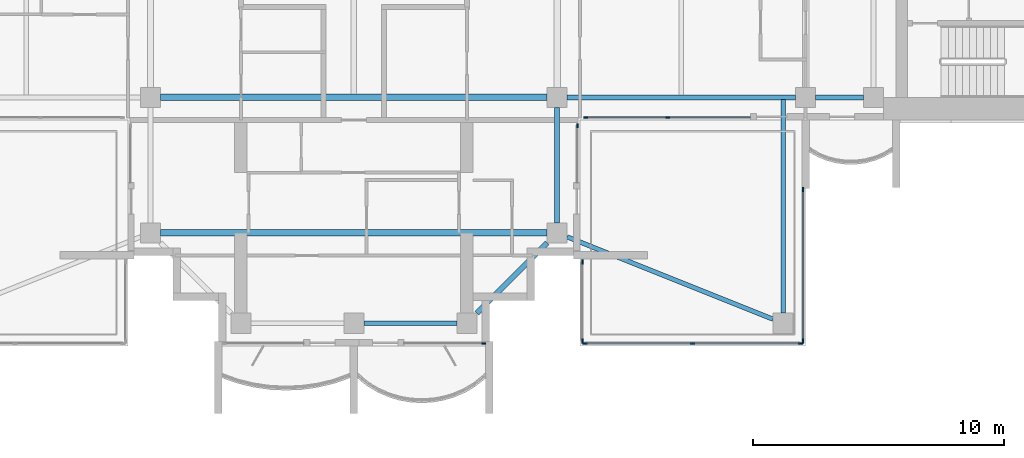
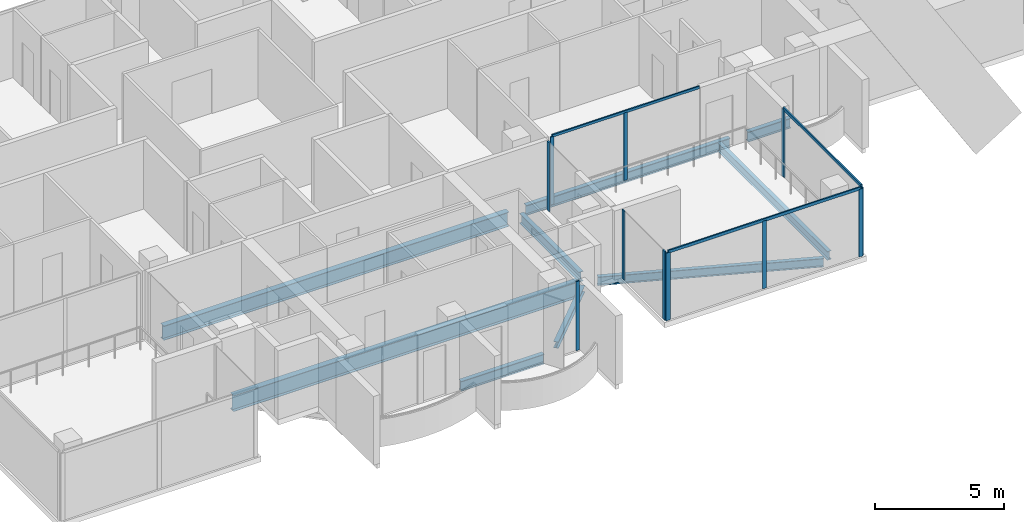
# One storey, part 3 of 16: 14 members, 9 beams, 6 elements without a shape of their own.
"""IFC4 building model written with IfcOpenShell, lengths in metres."""

from ifc_helpers import new_model, si_unit, direction, frame, origin, origin_2d, place, context, subcontext, project, spatial, rectangle, i_section, extrude, material, material_profile, profile_set, type_object, element, aggregate, save


model = new_model("IFC4")

# Units and contexts
model_context = context("Model", 3, precision=1e-05, world=origin(), true_north=direction((0.0, 1.0)))
body_context = subcontext(model_context, "Body", "Model", "MODEL_VIEW")
ifc_project = project(units=[si_unit("LENGTHUNIT", "METRE"), si_unit("AREAUNIT", "SQUARE_METRE"), si_unit("VOLUMEUNIT", "CUBIC_METRE"), si_unit("PLANEANGLEUNIT", "RADIAN"), si_unit("MASSUNIT", "GRAM", prefix="KILO")], contexts=[model_context])

# Site, building, storey
site_placement = place(None, origin())
site = spatial("IfcSite", under=ifc_project, at=site_placement, CompositionType="ELEMENT")
building_placement = place(site_placement, origin())
building = spatial("IfcBuilding", under=site, at=building_placement, Name="Perihelion Cross Residences", CompositionType="ELEMENT")
storey_placement = place(building_placement, frame((0.0, 0.0, 260.5)))
storey = spatial("IfcBuildingStorey", under=building, at=storey_placement, Name="L66", CompositionType="ELEMENT", Elevation=260.5)

# Curtain wall, member
ifc_material_1 = material(Name="Bronze anodised aluminium, tinted glazing", Category="aluminium")
curtain_wall_type_1 = type_object("IfcCurtainWallType", Name="CW1", PredefinedType="NOTDEFINED", material=ifc_material_1)
curtain_wall_1_placement = place(storey_placement, origin())
curtain_wall_1 = element("IfcCurtainWall", 1, at=curtain_wall_1_placement, inside=storey, type_object=curtain_wall_type_1, Name="Curtain wall CW1 L66 south tip south bay 2", PredefinedType="NOTDEFINED")
ifc_material_2 = material(Name="Bronze anodised aluminium", Category="aluminium")
ifc_material_profile_1 = material_profile(ifc_material_2, rectangle(XDim=0.06005859375, YDim=0.159912109375, at=origin_2d()), Name="CW1 mullion")
ifc_profile_set_1 = profile_set([ifc_material_profile_1], Name="Bronze anodised aluminium")
member_type_1 = type_object("IfcMemberType", Name="CW1 mullion", PredefinedType="MULLION", material=ifc_profile_set_1)
member_1_placement = place(storey_placement, frame((5.169921875, -17.89990234375, 0.0), z_axis=(0.0, 0.0, 1.0), x_axis=(0.0, 1.0, 0.0)))
member_1 = element("IfcMember", 2, at=member_1_placement, type_object=member_type_1, Name="CW1 mullion 2", PredefinedType="MULLION", context=body_context, shape_type="SweptSolid", body=[
    extrude(rectangle(XDim=0.06005859375, YDim=0.159912109375, at=origin_2d()), origin(), (0.0, 0.0, 1.0), 3.25),
])
aggregate(curtain_wall_1, [member_1])

curtain_wall_2_placement = place(storey_placement, origin())
curtain_wall_2 = element("IfcCurtainWall", 3, at=curtain_wall_2_placement, inside=storey, type_object=curtain_wall_type_1, Name="Curtain wall CW1 L66 south side east bay 1", PredefinedType="NOTDEFINED")
member_2_placement = place(storey_placement, frame((8.89990234375, -9.22998046875, 0.0), z_axis=(0.0, 0.0, 1.0), x_axis=(-1.0, 0.0, 0.0)))
member_2 = element("IfcMember", 4, at=member_2_placement, type_object=member_type_1, Name="CW1 mullion 2", PredefinedType="MULLION", context=body_context, shape_type="SweptSolid", body=[
    extrude(rectangle(XDim=0.06005859375, YDim=0.159912109375, at=origin_2d()), origin(), (0.0, 0.0, 1.0), 3.25),
])
aggregate(curtain_wall_2, [member_2])

# Curtain wall, members
curtain_wall_3_placement = place(storey_placement, origin())
curtain_wall_3 = element("IfcCurtainWall", 5, at=curtain_wall_3_placement, inside=storey, type_object=curtain_wall_type_1, Name="Curtain wall CW1 L66 east side south bay 1", PredefinedType="NOTDEFINED")
member_3_placement = place(storey_placement, frame((9.22998046875, -8.89990234375, 0.0), z_axis=(0.0, 0.0, 1.0), x_axis=(0.0, 1.0, 0.0)))
member_3 = element("IfcMember", 6, at=member_3_placement, type_object=member_type_1, Name="CW1 mullion 1", PredefinedType="MULLION", context=body_context, shape_type="SweptSolid", body=[
    extrude(rectangle(XDim=0.06005859375, YDim=0.159912109375, at=origin_2d()), origin(), (0.0, 0.0, 1.0), 3.18994140625),
])
member_4_placement = place(storey_placement, frame((12.5, -8.89990234375, 0.0), z_axis=(0.0, 0.0, 1.0), x_axis=(0.0, 1.0, 0.0)))
member_4 = element("IfcMember", 7, at=member_4_placement, type_object=member_type_1, Name="CW1 mullion 2", PredefinedType="MULLION", context=body_context, shape_type="SweptSolid", body=[
    extrude(rectangle(XDim=0.06005859375, YDim=0.159912109375, at=origin_2d()), origin(), (0.0, 0.0, 1.0), 3.18994140625),
])
ifc_material_3 = material(Name="Bronze anodised aluminium", Category="aluminium")
ifc_material_profile_2 = material_profile(ifc_material_3, rectangle(XDim=0.06005859375, YDim=0.1201171875, at=origin_2d()), Name="CW1 transom")
ifc_profile_set_2 = profile_set([ifc_material_profile_2], Name="Bronze anodised aluminium")
member_type_2 = type_object("IfcMemberType", Name="CW1 transom", PredefinedType="USERDEFINED", material=ifc_profile_set_2)
member_5_placement = place(storey_placement, frame((9.22998046875, -8.89990234375, 3.219970703125), z_axis=(1.0, 0.0, 0.0), x_axis=(0.0, 1.0, 0.0)))
member_5 = element("IfcMember", 8, at=member_5_placement, type_object=member_type_2, Name="CW1 head transom", ObjectType="TRANSOM", PredefinedType="USERDEFINED", context=body_context, shape_type="SweptSolid", body=[
    extrude(rectangle(XDim=0.06005859375, YDim=0.1201171875, at=origin_2d()), origin(), (0.0, 0.0, 1.0), 6.570068359375),
])
aggregate(curtain_wall_3, [member_3, member_4, member_5])

ifc_material_4 = material(Name="Bronze anodised aluminium, tinted glazing", Category="aluminium")
curtain_wall_type_2 = type_object("IfcCurtainWallType", Name="CW4", PredefinedType="NOTDEFINED", material=ifc_material_4)
curtain_wall_4_placement = place(storey_placement, origin())
curtain_wall_4 = element("IfcCurtainWall", 9, at=curtain_wall_4_placement, inside=storey, type_object=curtain_wall_type_2, Name="Curtain wall CW4 L66 pocket south-east 1 1", PredefinedType="NOTDEFINED")
ifc_material_5 = material(Name="Bronze anodised aluminium", Category="aluminium")
ifc_material_profile_3 = material_profile(ifc_material_5, rectangle(XDim=0.06005859375, YDim=0.179931640625, at=origin_2d()), Name="CW4 mullion")
ifc_profile_set_3 = profile_set([ifc_material_profile_3], Name="Bronze anodised aluminium")
member_type_3 = type_object("IfcMemberType", Name="CW4 mullion", PredefinedType="MULLION", material=ifc_profile_set_3)
member_6_placement = place(storey_placement, frame((17.89990234375, -11.77001953125, 0.0), z_axis=(0.0, 0.0, 1.0), x_axis=(1.0, 0.0, 0.0)))
member_6 = element("IfcMember", 10, at=member_6_placement, type_object=member_type_3, Name="CW4 mullion 1", PredefinedType="MULLION", context=body_context, shape_type="SweptSolid", body=[
    extrude(rectangle(XDim=0.06005859375, YDim=0.179931640625, at=origin_2d()), origin(), (0.0, 0.0, 1.0), 3.18994140625),
])
member_7_placement = place(storey_placement, frame((17.89990234375, -17.800048828125, 0.0), z_axis=(0.0, 0.0, 1.0), x_axis=(1.0, 0.0, 0.0)))
member_7 = element("IfcMember", 11, at=member_7_placement, type_object=member_type_3, Name="CW4 mullion 2", PredefinedType="MULLION", context=body_context, shape_type="SweptSolid", body=[
    extrude(rectangle(XDim=0.06005859375, YDim=0.179931640625, at=origin_2d()), origin(), (0.0, 0.0, 1.0), 3.18994140625),
])

curtain_wall_5_placement = place(storey_placement, origin())
curtain_wall_5 = element("IfcCurtainWall", 12, at=curtain_wall_5_placement, inside=storey, type_object=curtain_wall_type_2, Name="Curtain wall CW4 L66 pocket south-east 1 2", PredefinedType="NOTDEFINED")
member_8_placement = place(storey_placement, frame((17.800048828125, -17.89990234375, 0.0), z_axis=(0.0, 0.0, 1.0), x_axis=(0.0, -1.0, 0.0)))
member_8 = element("IfcMember", 13, at=member_8_placement, type_object=member_type_3, Name="CW4 mullion 1", PredefinedType="MULLION", context=body_context, shape_type="SweptSolid", body=[
    extrude(rectangle(XDim=0.06005859375, YDim=0.179931640625, at=origin_2d()), origin(), (0.0, 0.0, 1.0), 3.18994140625),
])
member_9_placement = place(storey_placement, frame((13.5, -17.89990234375, 0.0), z_axis=(0.0, 0.0, 1.0), x_axis=(0.0, -1.0, 0.0)))
member_9 = element("IfcMember", 14, at=member_9_placement, type_object=member_type_3, Name="CW4 mullion 2", PredefinedType="MULLION", context=body_context, shape_type="SweptSolid", body=[
    extrude(rectangle(XDim=0.06005859375, YDim=0.179931640625, at=origin_2d()), origin(), (0.0, 0.0, 1.0), 3.18994140625),
])
member_10_placement = place(storey_placement, frame((9.199951171875, -17.89990234375, 0.0), z_axis=(0.0, 0.0, 1.0), x_axis=(0.0, -1.0, 0.0)))
member_10 = element("IfcMember", 15, at=member_10_placement, type_object=member_type_3, Name="CW4 mullion 3", PredefinedType="MULLION", context=body_context, shape_type="SweptSolid", body=[
    extrude(rectangle(XDim=0.06005859375, YDim=0.179931640625, at=origin_2d()), origin(), (0.0, 0.0, 1.0), 3.18994140625),
])

curtain_wall_6_placement = place(storey_placement, origin())
curtain_wall_6 = element("IfcCurtainWall", 16, at=curtain_wall_6_placement, inside=storey, type_object=curtain_wall_type_2, Name="Curtain wall CW4 L66 pocket south-east 1 3", PredefinedType="NOTDEFINED")
member_11_placement = place(storey_placement, frame((9.10009765625, -17.800048828125, 0.0), z_axis=(0.0, 0.0, 1.0), x_axis=(-1.0, 0.0, 0.0)))
member_11 = element("IfcMember", 17, at=member_11_placement, type_object=member_type_3, Name="CW4 mullion 1", PredefinedType="MULLION", context=body_context, shape_type="SweptSolid", body=[
    extrude(rectangle(XDim=0.06005859375, YDim=0.179931640625, at=origin_2d()), origin(), (0.0, 0.0, 1.0), 3.25),
])
member_12_placement = place(storey_placement, frame((9.10009765625, -14.658935546875, 0.0), z_axis=(0.0, 0.0, 1.0), x_axis=(-1.0, 0.0, 0.0)))
member_12 = element("IfcMember", 18, at=member_12_placement, type_object=member_type_3, Name="CW4 mullion 2", PredefinedType="MULLION", context=body_context, shape_type="SweptSolid", body=[
    extrude(rectangle(XDim=0.06005859375, YDim=0.179931640625, at=origin_2d()), origin(), (0.0, 0.0, 1.0), 3.25),
])
aggregate(curtain_wall_6, [member_11, member_12])

# Member
ifc_material_6 = material(Name="Bronze anodised aluminium", Category="aluminium")
ifc_material_profile_4 = material_profile(ifc_material_6, rectangle(XDim=0.06005859375, YDim=0.139892578125, at=origin_2d()), Name="CW4 transom")
ifc_profile_set_4 = profile_set([ifc_material_profile_4], Name="Bronze anodised aluminium")
member_type_4 = type_object("IfcMemberType", Name="CW4 transom", PredefinedType="USERDEFINED", material=ifc_profile_set_4)
member_13_placement = place(storey_placement, frame((17.89990234375, -11.77001953125, 3.219970703125), z_axis=(0.0, -1.0, 0.0), x_axis=(1.0, 0.0, 0.0)))
member_13 = element("IfcMember", 19, at=member_13_placement, type_object=member_type_4, Name="CW4 head transom", ObjectType="TRANSOM", PredefinedType="USERDEFINED", context=body_context, shape_type="SweptSolid", body=[
    extrude(rectangle(XDim=0.06005859375, YDim=0.139892578125, at=origin_2d()), origin(), (0.0, 0.0, 1.0), 6.030029296875),
])

aggregate(curtain_wall_4, [member_6, member_7, member_13])

member_14_placement = place(storey_placement, frame((17.800048828125, -17.89990234375, 3.219970703125), z_axis=(-1.0, 0.0, 0.0), x_axis=(0.0, -1.0, 0.0)))
member_14 = element("IfcMember", 20, at=member_14_placement, type_object=member_type_4, Name="CW4 head transom", ObjectType="TRANSOM", PredefinedType="USERDEFINED", context=body_context, shape_type="SweptSolid", body=[
    extrude(rectangle(XDim=0.06005859375, YDim=0.139892578125, at=origin_2d()), origin(), (0.0, 0.0, 1.0), 8.60009765625),
])

aggregate(curtain_wall_5, [member_8, member_9, member_10, member_14])

# Beams
ifc_material_7 = material(Name="Steel S355", Category="steel")
ifc_material_profile_5 = material_profile(ifc_material_7, i_section(OverallWidth=0.177978515625, OverallDepth=0.406005859375, WebThickness=0.0078125, FlangeThickness=0.0126953125, at=origin_2d()), Name="W410x60")
ifc_profile_set_5 = profile_set([ifc_material_profile_5], Name="Steel S355")
beam_type_1 = type_object("IfcBeamType", Name="Core edge beam W410x60", PredefinedType="BEAM", material=ifc_profile_set_5)
beam_1_placement = place(storey_placement, frame((17.10009765625, -8.197021484375, -0.452880859375), z_axis=(0.0, -1.0, 0.0), x_axis=(1.0, 0.0, 0.0)))
element("IfcBeam", 21, at=beam_1_placement, inside=storey, type_object=beam_type_1, Name="Core edge beam TB2 L66 corner no. 3", PredefinedType="BEAM", context=body_context, shape_type="SweptSolid", body=[
    extrude(i_section(OverallWidth=0.177978515625, OverallDepth=0.406005859375, WebThickness=0.0078125, FlangeThickness=0.0126953125, at=origin_2d()), origin(), (0.0, 0.0, 1.0), 8.5029296875),
])
beam_2_placement = place(storey_placement, frame((8.5, -13.659912109375, -0.452880859375), z_axis=(0.928474784399, -0.371395442534, 0.0), x_axis=(0.371395442534, 0.928474784399, 0.0)))
element("IfcBeam", 22, at=beam_2_placement, inside=storey, type_object=beam_type_1, Name="Core edge beam TB2 L66 corner no. 4", PredefinedType="BEAM", context=body_context, shape_type="SweptSolid", body=[
    extrude(i_section(OverallWidth=0.177978515625, OverallDepth=0.406005859375, WebThickness=0.0078125, FlangeThickness=0.0126953125, at=origin_2d()), origin(), (0.0, 0.0, 1.0), 8.83154296875),
])
ifc_material_8 = material(Name="Steel S355", Category="steel")
ifc_material_profile_6 = material_profile(ifc_material_8, i_section(OverallWidth=0.194091796875, OverallDepth=0.469970703125, WebThickness=0.0126953125, FlangeThickness=0.0205078125, at=origin_2d()), Name="W460x106")
ifc_profile_set_6 = profile_set([ifc_material_profile_6], Name="Steel S355")
beam_type_2 = type_object("IfcBeamType", Name="Edge beam W460x106", PredefinedType="SPANDREL", material=ifc_profile_set_6)
beam_3_placement = place(storey_placement, frame((0.39990234375, -17.10009765625, -0.485107421875), z_axis=(1.0, 0.0, 0.0), x_axis=(0.0, 1.0, 0.0)))
element("IfcBeam", 23, at=beam_3_placement, inside=storey, type_object=beam_type_2, Name="Edge beam SB5 L66 no. 7", PredefinedType="SPANDREL", context=body_context, shape_type="SweptSolid", body=[
    extrude(i_section(OverallWidth=0.194091796875, OverallDepth=0.469970703125, WebThickness=0.0126953125, FlangeThickness=0.0205078125, at=origin_2d()), origin(), (0.0, 0.0, 1.0), 3.7001953125),
])
beam_4_placement = place(storey_placement, frame((8.10009765625, -13.10009765625, -0.485107421875), z_axis=(0.0, 1.0, 0.0), x_axis=(-1.0, 0.0, 0.0)))
element("IfcBeam", 24, at=beam_4_placement, inside=storey, type_object=beam_type_2, Name="Edge beam SB5 L66 no. 11", PredefinedType="SPANDREL", context=body_context, shape_type="SweptSolid", body=[
    extrude(i_section(OverallWidth=0.194091796875, OverallDepth=0.469970703125, WebThickness=0.0126953125, FlangeThickness=0.0205078125, at=origin_2d()), origin(), (0.0, 0.0, 1.0), 4.60009765625),
])
beam_5_placement = place(storey_placement, frame((8.5, -8.10009765625, -0.485107421875), z_axis=(1.0, 0.0, 0.0), x_axis=(0.0, 1.0, 0.0)))
element("IfcBeam", 25, at=beam_5_placement, inside=storey, type_object=beam_type_2, Name="Edge beam SB5 L66 no. 12", PredefinedType="SPANDREL", context=body_context, shape_type="SweptSolid", body=[
    extrude(i_section(OverallWidth=0.194091796875, OverallDepth=0.469970703125, WebThickness=0.0126953125, FlangeThickness=0.0205078125, at=origin_2d()), origin(), (0.0, 0.0, 1.0), 9.10009765625),
])
beam_6_placement = place(storey_placement, frame((18.39990234375, -8.10009765625, -0.485107421875), z_axis=(1.0, 0.0, 0.0), x_axis=(0.0, 1.0, 0.0)))
element("IfcBeam", 26, at=beam_6_placement, inside=storey, type_object=beam_type_2, Name="Edge beam SB5 L66 no. 8", PredefinedType="SPANDREL", context=body_context, shape_type="SweptSolid", body=[
    extrude(i_section(OverallWidth=0.194091796875, OverallDepth=0.469970703125, WebThickness=0.0126953125, FlangeThickness=0.0205078125, at=origin_2d()), origin(), (0.0, 0.0, 1.0), 1.900146484375),
])
ifc_material_9 = material(Name="Steel S355", Category="steel")
ifc_material_profile_7 = material_profile(ifc_material_9, i_section(OverallWidth=0.26708984375, OverallDepth=0.75390625, WebThickness=0.01318359375, FlangeThickness=0.01708984375, at=origin_2d()), Name="W760x147")
ifc_profile_set_7 = profile_set([ifc_material_profile_7], Name="Steel S355")
beam_type_3 = type_object("IfcBeamType", Name="Floor girder W760x147", PredefinedType="BEAM", material=ifc_profile_set_7)
beam_7_placement = place(storey_placement, frame((-7.699951171875, -13.5, -0.626953125), z_axis=(1.0, 0.0, 0.0), x_axis=(0.0, 1.0, 0.0)))
element("IfcBeam", 27, at=beam_7_placement, inside=storey, type_object=beam_type_3, Name="Girder G5 L66 no. 3", PredefinedType="BEAM", context=body_context, shape_type="SweptSolid", body=[
    extrude(i_section(OverallWidth=0.26708984375, OverallDepth=0.75390625, WebThickness=0.01318359375, FlangeThickness=0.01708984375, at=origin_2d()), origin(), (0.0, 0.0, 1.0), 15.39990234375),
])
ifc_material_10 = material(Name="Steel S355", Category="steel")
ifc_material_profile_8 = material_profile(ifc_material_10, i_section(OverallWidth=0.25390625, OverallDepth=0.677978515625, WebThickness=0.01171875, FlangeThickness=0.016357421875, at=origin_2d()), Name="W690x125")
ifc_profile_set_8 = profile_set([ifc_material_profile_8], Name="Steel S355")
beam_type_4 = type_object("IfcBeamType", Name="Hub ring girder W690x125", PredefinedType="BEAM", material=ifc_profile_set_8)
beam_8_placement = place(storey_placement, frame((-7.699951171875, -8.10009765625, -0.589111328125), z_axis=(1.0, 0.0, 0.0), x_axis=(0.0, 1.0, 0.0)))
element("IfcBeam", 28, at=beam_8_placement, inside=storey, type_object=beam_type_4, Name="Hub ring girder RG5 L66 no. 1", PredefinedType="BEAM", context=body_context, shape_type="SweptSolid", body=[
    extrude(i_section(OverallWidth=0.25390625, OverallDepth=0.677978515625, WebThickness=0.01171875, FlangeThickness=0.016357421875, at=origin_2d()), origin(), (0.0, 0.0, 1.0), 15.39990234375),
])
ifc_material_11 = material(Name="Steel S355", Category="steel")
ifc_material_profile_9 = material_profile(ifc_material_11, i_section(OverallWidth=0.202880859375, OverallDepth=0.302001953125, WebThickness=0.007568359375, FlangeThickness=0.01318359375, at=origin_2d()), Name="W310x60")
ifc_profile_set_9 = profile_set([ifc_material_profile_9], Name="Steel S355")
beam_type_5 = type_object("IfcBeamType", Name="Serration edge beam W310x60", PredefinedType="BEAM", material=ifc_profile_set_9)
beam_9_placement = place(storey_placement, frame((4.89990234375, -16.699951171875, -0.40087890625), z_axis=(0.707106781187, 0.707106781187, 0.0), x_axis=(-0.707106781187, 0.707106781187, 0.0)))
element("IfcBeam", 29, at=beam_9_placement, inside=storey, type_object=beam_type_5, Name="Serration edge beam EB5 L66 no. 2", PredefinedType="BEAM", context=body_context, shape_type="SweptSolid", body=[
    extrude(i_section(OverallWidth=0.202880859375, OverallDepth=0.302001953125, WebThickness=0.007568359375, FlangeThickness=0.01318359375, at=origin_2d()), origin(), (0.0, 0.0, 1.0), 3.9599609375),
])

save(model, "model.ifc")
